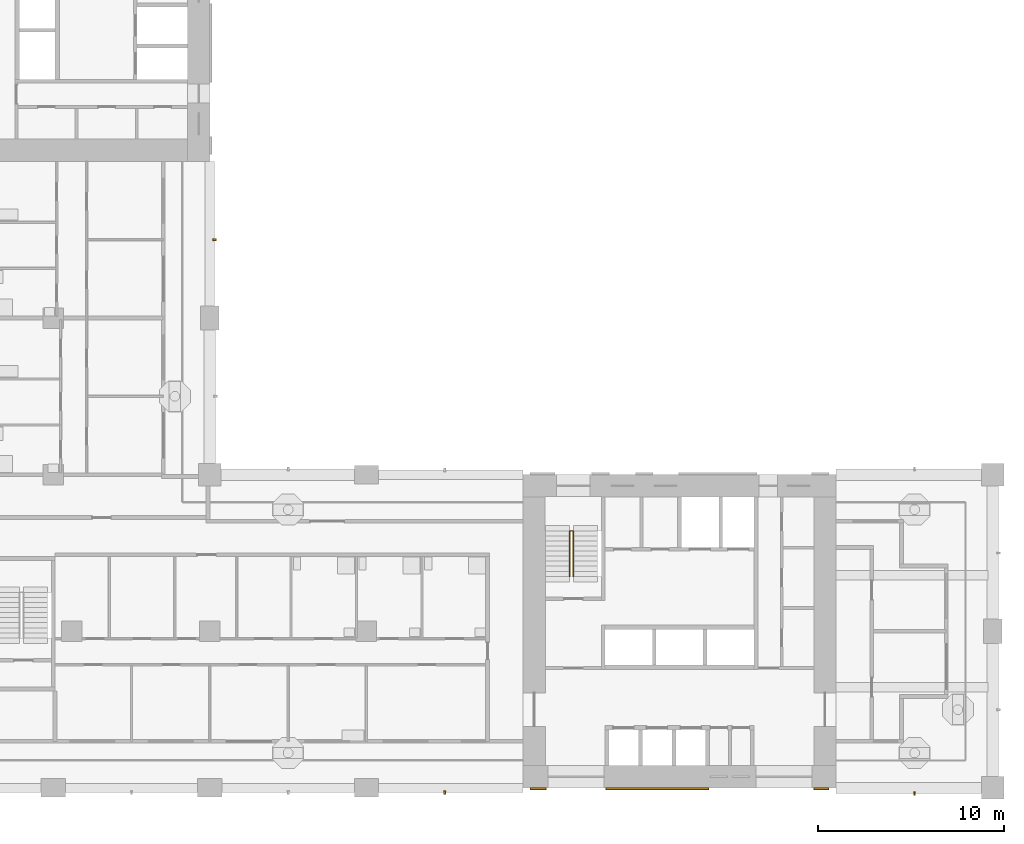
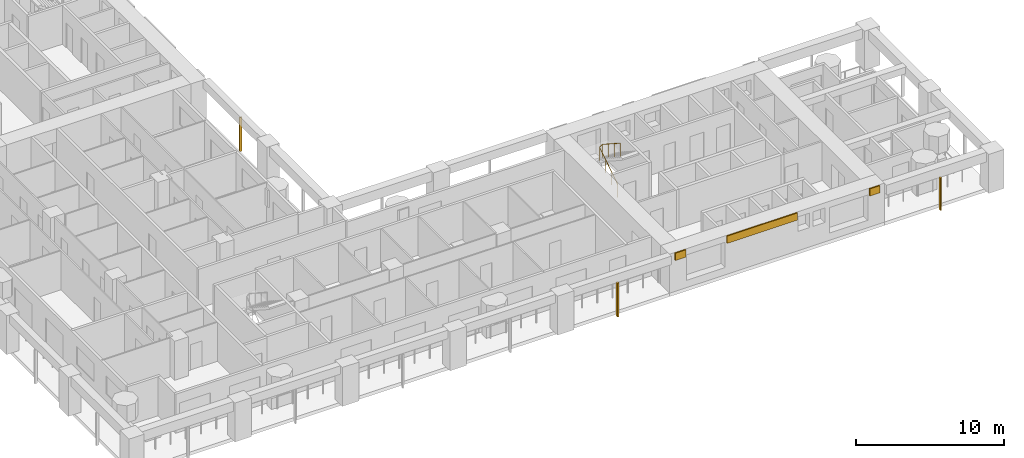
# One storey, part 12 of 19: 6 shading devices, 1 railing.
"""IFC4 building model written with IfcOpenShell, lengths in metres."""

from ifc_helpers import new_model, si_unit, direction, frame, origin, origin_2d, place, context, subcontext, project, spatial, rectangle, circle, extrude, material, layer, layer_set, material_profile, profile_set, type_object, element, save


model = new_model("IFC4")

# Units and contexts
model_context = context("Model", 3, precision=1e-05, world=origin(), true_north=direction((0.0, 1.0)))
body_context = subcontext(model_context, "Body", "Model", "MODEL_VIEW")
ifc_project = project(units=[si_unit("LENGTHUNIT", "METRE"), si_unit("AREAUNIT", "SQUARE_METRE"), si_unit("VOLUMEUNIT", "CUBIC_METRE"), si_unit("PLANEANGLEUNIT", "RADIAN"), si_unit("MASSUNIT", "GRAM", prefix="KILO")], contexts=[model_context])

# Site, building, storey
site_placement = place(None, origin())
site = spatial("IfcSite", under=ifc_project, at=site_placement, CompositionType="ELEMENT")
building_placement = place(site_placement, origin())
building = spatial("IfcBuilding", under=site, at=building_placement, Name="Vermilion Gate Residences", CompositionType="ELEMENT")
storey_placement = place(building_placement, frame((0.0, 0.0, 119.699951171875)))
storey = spatial("IfcBuildingStorey", under=building, at=storey_placement, Name="L30", CompositionType="ELEMENT", Elevation=119.699951171875)

# Railing
ifc_material_1 = material(Name="Steel S355", Category="steel")
railing_type = type_object("IfcRailingType", Name="STAIR GUARD 1100 STEEL", PredefinedType="GUARDRAIL", material=ifc_material_1)
railing_placement = place(storey_placement, frame((44.5, 19.75, 0.175048828125)))
element("IfcRailing", 1, at=railing_placement, inside=storey, type_object=railing_type, Name="Stair well guard STA1-30", PredefinedType="GUARDRAIL", context=body_context, shape_type="SweptSolid", body=[
    extrude(circle(Radius=0.02392578125, at=origin_2d()), frame((0.0, 0.0, 1.076171875), z_axis=(0.0, 0.839153699163, 0.543894354798), x_axis=(-1.0, 0.0, 0.0)), (0.0, 0.0, 1.0), 2.895751953125),
    extrude(circle(Radius=0.02392578125, at=origin_2d()), frame((0.0, 2.429931640625, 2.65087890625), z_axis=(0.752405939678, 0.0, 0.658699705433), x_axis=(0.0, 1.0, 0.0)), (0.0, 0.0, 1.0), 0.265869140625),
    extrude(circle(Radius=0.02392578125, at=origin_2d()), frame((0.199951171875, 2.429931640625, 2.826171875), z_axis=(0.0, -0.839153699163, 0.543894354798), x_axis=(1.0, 0.0, 0.0)), (0.0, 0.0, 1.0), 2.895751953125),
    extrude(circle(Radius=0.02099609375, at=origin_2d()), origin(), (0.0, 0.0, 1.0), 1.052001953125),
    extrude(circle(Radius=0.02099609375, at=origin_2d()), frame((0.0, 0.81005859375, 0.52490234375)), (0.0, 0.0, 1.0), 1.052001953125),
    extrude(circle(Radius=0.02099609375, at=origin_2d()), frame((0.0, 1.619873046875, 1.050048828125)), (0.0, 0.0, 1.0), 1.052001953125),
    extrude(circle(Radius=0.02099609375, at=origin_2d()), frame((0.0, 2.429931640625, 1.574951171875)), (0.0, 0.0, 1.0), 1.052001953125),
    extrude(circle(Radius=0.02099609375, at=origin_2d()), frame((0.199951171875, 2.429931640625, 1.75)), (0.0, 0.0, 1.0), 1.052001953125),
    extrude(circle(Radius=0.02099609375, at=origin_2d()), frame((0.199951171875, 1.619873046875, 2.27490234375)), (0.0, 0.0, 1.0), 1.052001953125),
    extrude(circle(Radius=0.02099609375, at=origin_2d()), frame((0.199951171875, 0.81005859375, 2.800048828125)), (0.0, 0.0, 1.0), 1.052001953125),
    extrude(circle(Radius=0.02099609375, at=origin_2d()), frame((0.199951171875, 0.0, 3.324951171875)), (0.0, 0.0, 1.0), 1.052001953125),
])

# Shading devices
ifc_material_2 = material(Name="Extruded terracotta", Category="masonry")
ifc_material_profile = material_profile(ifc_material_2, rectangle(XDim=0.199951171875, YDim=0.10009765625, at=origin_2d()), Name="BAGUETTE 100 X 200")
ifc_profile_set = profile_set([ifc_material_profile], Name="Extruded terracotta")
shading_device_type_1 = type_object("IfcShadingDeviceType", Name="TERRACOTTA BAGUETTE 100 X 200", PredefinedType="JALOUSIE", material=ifc_profile_set)
shading_device_1_placement = place(storey_placement, frame((37.800048828125, 8.14990234375, -0.280029296875), z_axis=(0.0, 0.0, 1.0), x_axis=(0.0, 1.0, 0.0)))
element("IfcShadingDevice", 2, at=shading_device_1_placement, inside=storey, type_object=shading_device_type_1, Name="BAGUETTE", PredefinedType="JALOUSIE", context=body_context, shape_type="SweptSolid", body=[
    extrude(rectangle(XDim=0.199951171875, YDim=0.10009765625, at=origin_2d()), origin(), (0.0, 0.0, 1.0), 2.800048828125),
])
shading_device_2_placement = place(storey_placement, frame((63.0, 8.10009765625, -0.280029296875), z_axis=(0.0, 0.0, 1.0), x_axis=(0.0, 1.0, 0.0)))
element("IfcShadingDevice", 3, at=shading_device_2_placement, inside=storey, type_object=shading_device_type_1, Name="BAGUETTE", PredefinedType="JALOUSIE", context=body_context, shape_type="SweptSolid", body=[
    extrude(rectangle(XDim=0.199951171875, YDim=0.10009765625, at=origin_2d()), origin(), (0.0, 0.0, 1.0), 2.7001953125),
])
shading_device_3_placement = place(storey_placement, frame((25.449951171875, 37.800048828125, -0.280029296875), z_axis=(0.0, 0.0, 1.0), x_axis=(-1.0, 0.0, 0.0)))
element("IfcShadingDevice", 4, at=shading_device_3_placement, inside=storey, type_object=shading_device_type_1, Name="BAGUETTE", PredefinedType="JALOUSIE", context=body_context, shape_type="SweptSolid", body=[
    extrude(rectangle(XDim=0.199951171875, YDim=0.10009765625, at=origin_2d()), origin(), (0.0, 0.0, 1.0), 2.800048828125),
])
ifc_material_3 = material(Name="Extruded terracotta", Category="masonry")
ifc_layer = layer(ifc_material_3, 0.10009765625)
ifc_layer_set = layer_set([ifc_layer], Name="TERRACOTTA SPANDREL BAND 600 X 100")
shading_device_type_2 = type_object("IfcShadingDeviceType", Name="TERRACOTTA SPANDREL BAND 600 X 100", PredefinedType="USERDEFINED", material=ifc_layer_set)
shading_device_4_placement = place(storey_placement, frame((42.824951171875, 8.35009765625, 2.6201171875), z_axis=(0.0, 0.0, 1.0), x_axis=(1.0, 0.0, 0.0)))
element("IfcShadingDevice", 5, at=shading_device_4_placement, inside=storey, type_object=shading_device_type_2, Name="SPANDREL BAND", ObjectType="BAND", PredefinedType="USERDEFINED", context=body_context, shape_type="SweptSolid", body=[
    extrude(rectangle(XDim=0.85009765625, YDim=0.10009765625, at=origin_2d()), origin(), (0.0, 0.0, 1.0), 0.60009765625),
])
shading_device_5_placement = place(storey_placement, frame((49.199951171875, 8.35009765625, 2.6201171875), z_axis=(0.0, 0.0, 1.0), x_axis=(1.0, 0.0, 0.0)))
element("IfcShadingDevice", 6, at=shading_device_5_placement, inside=storey, type_object=shading_device_type_2, Name="SPANDREL BAND", ObjectType="BAND", PredefinedType="USERDEFINED", context=body_context, shape_type="SweptSolid", body=[
    extrude(rectangle(XDim=5.5, YDim=0.10009765625, at=origin_2d()), origin(), (0.0, 0.0, 1.0), 0.60009765625),
])
shading_device_6_placement = place(storey_placement, frame((58.0, 8.35009765625, 2.6201171875), z_axis=(0.0, 0.0, 1.0), x_axis=(1.0, 0.0, 0.0)))
element("IfcShadingDevice", 7, at=shading_device_6_placement, inside=storey, type_object=shading_device_type_2, Name="SPANDREL BAND", ObjectType="BAND", PredefinedType="USERDEFINED", context=body_context, shape_type="SweptSolid", body=[
    extrude(rectangle(XDim=0.800048828125, YDim=0.10009765625, at=origin_2d()), origin(), (0.0, 0.0, 1.0), 0.60009765625),
])

save(model, "model.ifc")
